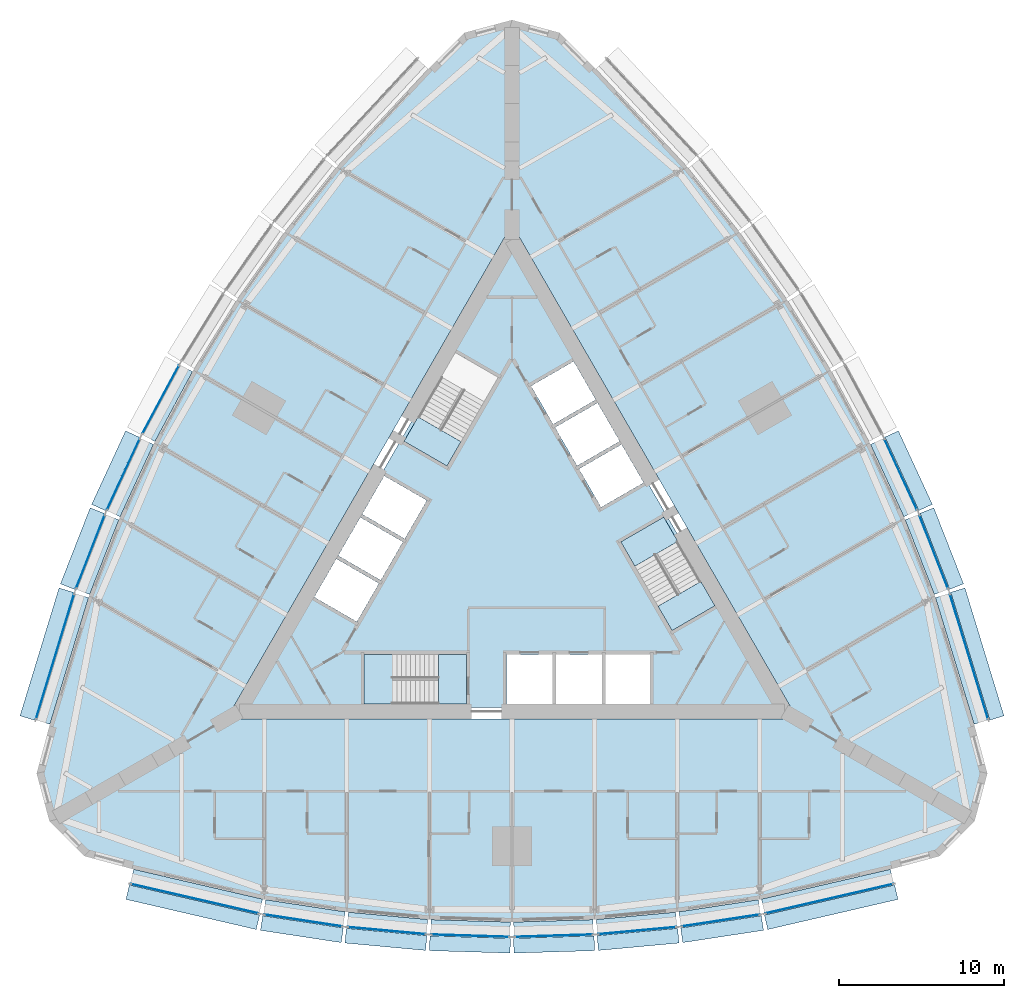
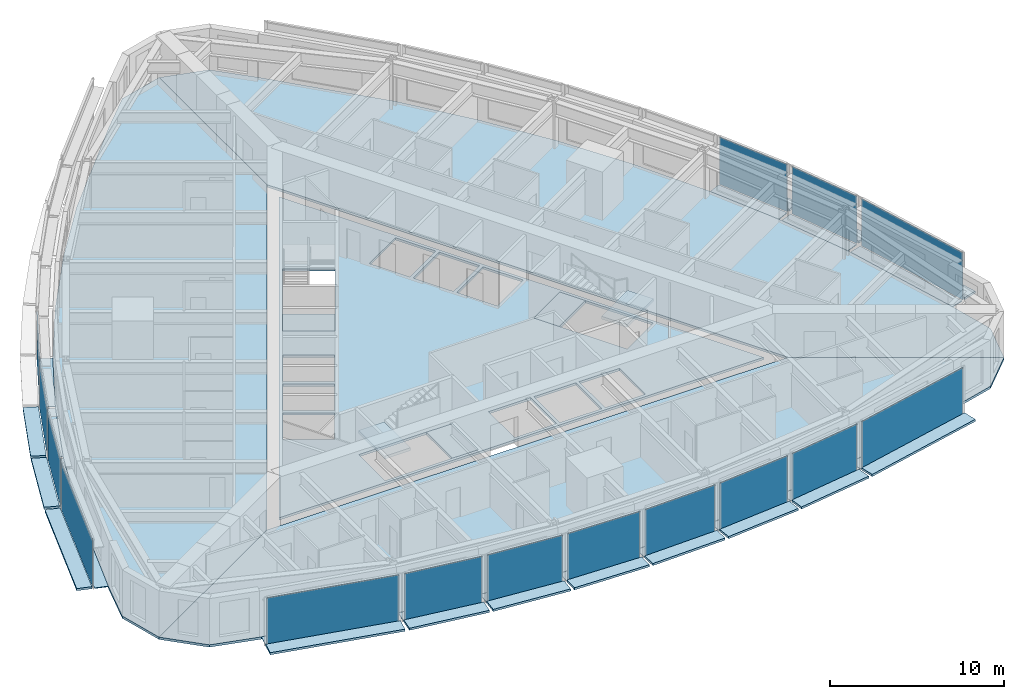
# One storey, part 6 of 14: 44 plates, 9 slabs, 18 elements without a shape of their own.
"""IFC4 building model written with IfcOpenShell, lengths in metres."""

from ifc_helpers import new_model, si_unit, direction, frame, origin, origin_2d, place, context, subcontext, project, spatial, polyline, rectangle, outline, extrude, material, layer, layer_set, type_object, element, aggregate, save


model = new_model("IFC4")

# Units and contexts
model_context = context("Model", 3, precision=1e-05, world=origin(), true_north=direction((0.0, 1.0)))
body_context = subcontext(model_context, "Body", "Model", "MODEL_VIEW")
ifc_project = project(units=[si_unit("LENGTHUNIT", "METRE"), si_unit("AREAUNIT", "SQUARE_METRE"), si_unit("VOLUMEUNIT", "CUBIC_METRE"), si_unit("PLANEANGLEUNIT", "RADIAN"), si_unit("MASSUNIT", "GRAM", prefix="KILO")], contexts=[model_context])

# Site, building, storey
site_placement = place(None, origin())
site = spatial("IfcSite", under=ifc_project, at=site_placement, CompositionType="ELEMENT")
building_placement = place(site_placement, origin())
building = spatial("IfcBuilding", under=site, at=building_placement, Name="Trikona Tower", CompositionType="ELEMENT")
storey_placement = place(building_placement, frame((0.0, 0.0, 69.300048828125)))
storey = spatial("IfcBuildingStorey", under=building, at=storey_placement, Name="L17", CompositionType="ELEMENT", Elevation=69.300048828125)

# Plates
ifc_material_1 = material(Name="Aluminium bar grating", Category="aluminium")
ifc_layer_1 = layer(ifc_material_1, 0.050048828125)
ifc_layer_set_1 = layer_set([ifc_layer_1], Name="Cavity catwalk grating")
plate_type_1 = type_object("IfcPlateType", Name="Cavity catwalk grating", PredefinedType="USERDEFINED", material=ifc_layer_set_1)
plate_1_placement = place(storey_placement, frame((-19.09228515625, -20.377197265625, -0.05029296875), z_axis=(0.0, 0.0, 1.0), x_axis=(0.974277718622, -0.225350675607, 0.0)))
element("IfcPlate", 1, at=plate_1_placement, inside=storey, type_object=plate_type_1, Name="Cavity catwalk L17-00", ObjectType="CATWALK GRATING", PredefinedType="USERDEFINED", context=body_context, shape_type="SweptSolid", body=[
    extrude(rectangle(XDim=8.01123046875, YDim=0.820068359375, at=origin_2d()), origin(), (0.0, 0.0, 1.0), 0.050048828125),
])
plate_2_placement = place(storey_placement, frame((-12.561767578125, -21.688720703125, -0.05029296875), z_axis=(0.0, 0.0, 1.0), x_axis=(0.988617896768, -0.150448177754, 0.0)))
element("IfcPlate", 2, at=plate_2_placement, inside=storey, type_object=plate_type_1, Name="Cavity catwalk L17-01", ObjectType="CATWALK GRATING", PredefinedType="USERDEFINED", context=body_context, shape_type="SweptSolid", body=[
    extrude(rectangle(XDim=4.857666015625, YDim=0.820068359375, at=origin_2d()), origin(), (0.0, 0.0, 1.0), 0.050048828125),
])
plate_3_placement = place(storey_placement, frame((-7.537353515625, -22.300537109375, -0.05029296875), z_axis=(0.0, 0.0, 1.0), x_axis=(0.995858098326, -0.090921108655, 0.0)))
element("IfcPlate", 3, at=plate_3_placement, inside=storey, type_object=plate_type_1, Name="Cavity catwalk L17-02", ObjectType="CATWALK GRATING", PredefinedType="USERDEFINED", context=body_context, shape_type="SweptSolid", body=[
    extrude(rectangle(XDim=4.82080078125, YDim=0.820068359375, at=origin_2d()), origin(), (0.0, 0.0, 1.0), 0.050048828125),
])
for number, where, z_axis, x_axis, name in (
    (4, (-2.512451171875, -22.606201171875, -0.05029296875), (0.0, 0.0, 1.0), (0.999537048889, -0.030425119525, 0.0), "Cavity catwalk L17-03"),
    (5, (2.512451171875, -22.606201171875, -0.05029296875), (0.0, 0.0, 1.0), (0.999537048889, 0.030425119525, 0.0), "Cavity catwalk L17-04"),
):
    element("IfcPlate", number, at=place(storey_placement, frame(where, z_axis=z_axis, x_axis=x_axis)), inside=storey, type_object=plate_type_1, Name=name, ObjectType="CATWALK GRATING", PredefinedType="USERDEFINED", context=body_context, shape_type="SweptSolid", body=[
        extrude(rectangle(XDim=4.80224609375, YDim=0.820068359375, at=origin_2d()), origin(), (0.0, 0.0, 1.0), 0.050048828125),
    ])
plate_4_placement = place(storey_placement, frame((7.537353515625, -22.300537109375, -0.05029296875), z_axis=(0.0, 0.0, 1.0), x_axis=(0.995858098326, 0.090921108655, 0.0)))
element("IfcPlate", 6, at=plate_4_placement, inside=storey, type_object=plate_type_1, Name="Cavity catwalk L17-05", ObjectType="CATWALK GRATING", PredefinedType="USERDEFINED", context=body_context, shape_type="SweptSolid", body=[
    extrude(rectangle(XDim=4.82080078125, YDim=0.820068359375, at=origin_2d()), origin(), (0.0, 0.0, 1.0), 0.050048828125),
])
plate_5_placement = place(storey_placement, frame((12.561767578125, -21.688720703125, -0.05029296875), z_axis=(0.0, 0.0, 1.0), x_axis=(0.988617896768, 0.150448177754, 0.0)))
element("IfcPlate", 7, at=plate_5_placement, inside=storey, type_object=plate_type_1, Name="Cavity catwalk L17-06", ObjectType="CATWALK GRATING", PredefinedType="USERDEFINED", context=body_context, shape_type="SweptSolid", body=[
    extrude(rectangle(XDim=4.857666015625, YDim=0.820068359375, at=origin_2d()), origin(), (0.0, 0.0, 1.0), 0.050048828125),
])
for number, where, z_axis, x_axis, name in (
    (8, (19.09228515625, -20.377197265625, -0.05029296875), (0.0, 0.0, 1.0), (0.974277718622, 0.225350675607, 0.0), "Cavity catwalk L17-07"),
    (9, (27.193359375, -6.345947265625, -0.05029296875), (0.0, 0.0, 1.0), (-0.291979449475, 0.956424592471, 0.0), "Cavity catwalk L17-12"),
):
    element("IfcPlate", number, at=place(storey_placement, frame(where, z_axis=z_axis, x_axis=x_axis)), inside=storey, type_object=plate_type_1, Name=name, ObjectType="CATWALK GRATING", PredefinedType="USERDEFINED", context=body_context, shape_type="SweptSolid", body=[
        extrude(rectangle(XDim=8.01123046875, YDim=0.820068359375, at=origin_2d()), origin(), (0.0, 0.0, 1.0), 0.050048828125),
    ])
plate_6_placement = place(storey_placement, frame((25.06396484375, -0.034423828125, -0.05029296875), z_axis=(0.0, 0.0, 1.0), x_axis=(-0.364008876551, 0.931395478726, 0.0)))
element("IfcPlate", 10, at=plate_6_placement, inside=storey, type_object=plate_type_1, Name="Cavity catwalk L17-13", ObjectType="CATWALK GRATING", PredefinedType="USERDEFINED", context=body_context, shape_type="SweptSolid", body=[
    extrude(rectangle(XDim=4.857666015625, YDim=0.820068359375, at=origin_2d()), origin(), (0.0, 0.0, 1.0), 0.050048828125),
])
plate_7_placement = place(storey_placement, frame((23.081298828125, 4.622802734375, -0.05029296875), z_axis=(0.0, 0.0, 1.0), x_axis=(-0.41919381307, 0.907896771161, 0.0)))
element("IfcPlate", 11, at=plate_7_placement, inside=storey, type_object=plate_type_1, Name="Cavity catwalk L17-14", ObjectType="CATWALK GRATING", PredefinedType="USERDEFINED", context=body_context, shape_type="SweptSolid", body=[
    extrude(rectangle(XDim=4.82080078125, YDim=0.820068359375, at=origin_2d()), origin(), (0.0, 0.0, 1.0), 0.050048828125),
])
plate_8_placement = place(storey_placement, frame((-20.833740234375, 9.127197265625, -0.05029296875), z_axis=(0.0, 0.0, 1.0), x_axis=(-0.473422672721, -0.880835383572, 0.0)))
element("IfcPlate", 12, at=plate_8_placement, inside=storey, type_object=plate_type_1, Name="Cavity catwalk L17-28", ObjectType="CATWALK GRATING", PredefinedType="USERDEFINED", context=body_context, shape_type="SweptSolid", body=[
    extrude(rectangle(XDim=4.80224609375, YDim=0.820068359375, at=origin_2d()), origin(), (0.0, 0.0, 1.0), 0.050048828125),
])
plate_9_placement = place(storey_placement, frame((-23.081298828125, 4.622802734375, -0.05029296875), z_axis=(0.0, 0.0, 1.0), x_axis=(-0.41919381307, -0.907896771161, 0.0)))
element("IfcPlate", 13, at=plate_9_placement, inside=storey, type_object=plate_type_1, Name="Cavity catwalk L17-29", ObjectType="CATWALK GRATING", PredefinedType="USERDEFINED", context=body_context, shape_type="SweptSolid", body=[
    extrude(rectangle(XDim=4.82080078125, YDim=0.820068359375, at=origin_2d()), origin(), (0.0, 0.0, 1.0), 0.050048828125),
])
plate_10_placement = place(storey_placement, frame((-25.06396484375, -0.034423828125, -0.05029296875), z_axis=(0.0, 0.0, 1.0), x_axis=(-0.364008876551, -0.931395478726, 0.0)))
element("IfcPlate", 14, at=plate_10_placement, inside=storey, type_object=plate_type_1, Name="Cavity catwalk L17-30", ObjectType="CATWALK GRATING", PredefinedType="USERDEFINED", context=body_context, shape_type="SweptSolid", body=[
    extrude(rectangle(XDim=4.857666015625, YDim=0.820068359375, at=origin_2d()), origin(), (0.0, 0.0, 1.0), 0.050048828125),
])
plate_11_placement = place(storey_placement, frame((-27.193359375, -6.345947265625, -0.05029296875), z_axis=(0.0, 0.0, 1.0), x_axis=(-0.291979449475, -0.956424592471, 0.0)))
element("IfcPlate", 15, at=plate_11_placement, inside=storey, type_object=plate_type_1, Name="Cavity catwalk L17-31", ObjectType="CATWALK GRATING", PredefinedType="USERDEFINED", context=body_context, shape_type="SweptSolid", body=[
    extrude(rectangle(XDim=8.01123046875, YDim=0.820068359375, at=origin_2d()), origin(), (0.0, 0.0, 1.0), 0.050048828125),
])

# Slabs
ifc_material_2 = material(Name="Concrete f'c 5000 psi lightweight on composite steel deck", Category="concrete")
ifc_layer_2 = layer(ifc_material_2, 0.1650390625)
ifc_layer_set_2 = layer_set([ifc_layer_2], Name="Composite floor slab 165")
slab_type_1 = type_object("IfcSlabType", Name="Composite floor slab 165", PredefinedType="FLOOR", material=ifc_layer_set_2)
slab_1_placement = place(storey_placement, frame((0.0, 0.0, -0.1650390625)))
element("IfcSlab", 16, at=slab_1_placement, inside=storey, type_object=slab_type_1, Name="Floor slab L17 core", PredefinedType="FLOOR", context=body_context, shape_type="SweptSolid", body=[
    extrude(outline(polyline([(-16.06689453125, -9.2763671875), (16.06689453125, -9.2763671875), (0.0, 18.552490234375), (-16.06689453125, -9.2763671875)]), holes=[polyline([(12.285400390625, -3.126220703125), (9.185302734375, 2.2431640625), (6.587158203125, 0.7431640625), (9.687255859375, -4.626220703125), (12.285400390625, -3.126220703125)]), polyline([(8.340087890625, -9.06640625), (8.340087890625, -6.086181640625), (5.659912109375, -6.086181640625), (5.659912109375, -9.06640625), (8.340087890625, -9.06640625)]), polyline([(5.390869140625, 2.835205078125), (7.9716796875, 4.3251953125), (6.631591796875, 6.646240234375), (4.05078125, 5.15625), (5.390869140625, 2.835205078125)]), polyline([(2.600830078125, 7.667724609375), (3.94091796875, 5.3466796875), (6.521484375, 6.8369140625), (5.181640625, 9.15771484375), (2.600830078125, 7.667724609375)]), polyline([(5.43994140625, -6.086181640625), (2.659912109375, -6.086181640625), (2.659912109375, -9.06640625), (5.43994140625, -9.06640625), (5.43994140625, -6.086181640625)]), polyline([(3.731689453125, 11.669189453125), (1.15087890625, 10.17919921875), (2.490966796875, 7.858154296875), (5.071533203125, 9.34814453125), (3.731689453125, 11.669189453125)]), polyline([(-0.340087890625, -6.086181640625), (-0.340087890625, -9.06640625), (2.43994140625, -9.06640625), (2.43994140625, -6.086181640625), (-0.340087890625, -6.086181640625)]), polyline([(-3.435302734375, 12.202392578125), (-6.535400390625, 6.8330078125), (-3.937255859375, 5.3330078125), (-0.837158203125, 10.702392578125), (-3.435302734375, 12.202392578125)]), polyline([(-8.949951171875, -9.076416015625), (-2.75, -9.076416015625), (-2.75, -6.076416015625), (-8.949951171875, -6.076416015625), (-8.949951171875, -9.076416015625)]), polyline([(-5.15087890625, 3.2509765625), (-7.731689453125, 4.740966796875), (-9.071533203125, 2.419921875), (-6.490966796875, 0.929931640625), (-5.15087890625, 3.2509765625)]), polyline([(-7.94091796875, -1.581298828125), (-6.600830078125, 0.739501953125), (-9.181640625, 2.2294921875), (-10.521484375, -0.09130859375), (-7.94091796875, -1.581298828125)]), polyline([(-11.9716796875, -2.602783203125), (-9.390869140625, -4.093017578125), (-8.05078125, -1.77197265625), (-10.631591796875, -0.281982421875), (-11.9716796875, -2.602783203125)])]), origin(), (0.0, 0.0, 1.0), 0.1650390625),
])
slab_2_placement = place(storey_placement, frame((0.0, 0.0, -0.1650390625)))
element("IfcSlab", 17, at=slab_2_placement, inside=storey, type_object=slab_type_1, Name="Floor slab L17 south", PredefinedType="FLOOR", context=body_context, shape_type="SweptSolid", body=[
    extrude(outline(polyline([(25.88671875, -18.279052734375), (28.0, -16.165771484375), (17.279296875, -9.976318359375), (-17.279296875, -9.976318359375), (-28.0, -16.165771484375), (-25.88671875, -18.279052734375), (-23.0, -19.052490234375), (-15.0, -20.903076171875), (-10.0, -21.663818359375), (-5.0, -22.120361328125), (0.0, -22.272705078125), (5.0, -22.120361328125), (10.0, -21.663818359375), (15.0, -20.903076171875), (23.0, -19.052490234375), (25.88671875, -18.279052734375)])), origin(), (0.0, 0.0, 1.0), 0.1650390625),
])
slab_3_placement = place(storey_placement, frame((0.0, 0.0, -0.1650390625)))
element("IfcSlab", 18, at=slab_3_placement, inside=storey, type_object=slab_type_1, Name="Floor slab L17 north-east", PredefinedType="FLOOR", context=body_context, shape_type="SweptSolid", body=[
    extrude(outline(polyline([(2.88671875, 31.55810546875), (0.0, 32.33154296875), (0.0, 19.95263671875), (17.279296875, -9.976318359375), (28.0, -16.165771484375), (28.7734375, -13.279052734375), (28.0, -10.392333984375), (25.6025390625, -2.538818359375), (23.761474609375, 2.171630859375), (21.65673828125, 6.72998046875), (19.28857421875, 11.13623046875), (16.65673828125, 15.390380859375), (13.761474609375, 19.4921875), (10.6025390625, 23.44189453125), (5.0, 29.44482421875), (2.88671875, 31.55810546875)])), origin(), (0.0, 0.0, 1.0), 0.1650390625),
])
slab_4_placement = place(storey_placement, frame((0.0, 0.0, -0.1650390625)))
element("IfcSlab", 19, at=slab_4_placement, inside=storey, type_object=slab_type_1, Name="Floor slab L17 north-west", PredefinedType="FLOOR", context=body_context, shape_type="SweptSolid", body=[
    extrude(outline(polyline([(0.0, 19.95263671875), (0.0, 32.33154296875), (-2.88671875, 31.55810546875), (-5.0, 29.44482421875), (-10.6025390625, 23.44189453125), (-13.761474609375, 19.4921875), (-16.65673828125, 15.390380859375), (-19.28857421875, 11.13623046875), (-21.65673828125, 6.72998046875), (-23.761474609375, 2.171630859375), (-25.6025390625, -2.538818359375), (-28.0, -10.392333984375), (-28.7734375, -13.279052734375), (-28.0, -16.165771484375), (-17.279296875, -9.976318359375), (0.0, 19.95263671875)])), origin(), (0.0, 0.0, 1.0), 0.1650390625),
])

# Curtain wall, plate
ifc_material_3 = material(Name="Aluminium curtain wall system", Category="aluminium")
curtain_wall_type = type_object("IfcCurtainWallType", Name="Curtain wall DS1", PredefinedType="NOTDEFINED", material=ifc_material_3)
curtain_wall_1_placement = place(storey_placement, origin())
curtain_wall_1 = element("IfcCurtainWall", 20, at=curtain_wall_1_placement, inside=storey, type_object=curtain_wall_type, Name="Curtain wall DS1 L17", PredefinedType="NOTDEFINED")
ifc_material_4 = material(Name="Laminated clear glass", Category="glass")
ifc_layer_3 = layer(ifc_material_4, 0.028076171875)
ifc_layer_set_3 = layer_set([ifc_layer_3], Name="Glass panel DS1")
plate_type_2 = type_object("IfcPlateType", Name="Glass panel DS1", PredefinedType="CURTAIN_PANEL", material=ifc_layer_set_3)
plate_12_placement = place(storey_placement, frame((-19.202880859375, -20.854736328125, 0.0), z_axis=(0.0, 0.0, 1.0), x_axis=(0.974279427173, -0.225343288756, 0.0)))
plate_12 = element("IfcPlate", 21, at=plate_12_placement, type_object=plate_type_2, Name="CW-DS1 panel 1.1", PredefinedType="CURTAIN_PANEL", context=body_context, shape_type="SweptSolid", body=[
    extrude(rectangle(XDim=7.93115234375, YDim=0.028076171875, at=origin_2d()), origin(), (0.0, 0.0, 1.0), 3.320068359375),
])
aggregate(curtain_wall_1, [plate_12])

curtain_wall_2_placement = place(storey_placement, origin())
curtain_wall_2 = element("IfcCurtainWall", 22, at=curtain_wall_2_placement, inside=storey, type_object=curtain_wall_type, Name="Curtain wall DS1 L17", PredefinedType="NOTDEFINED")
plate_13_placement = place(storey_placement, frame((-12.635498046875, -22.173095703125, 0.0), z_axis=(0.0, 0.0, 1.0), x_axis=(0.988619492156, -0.150437693845, 0.0)))
plate_13 = element("IfcPlate", 23, at=plate_13_placement, type_object=plate_type_2, Name="CW-DS1 panel 1.1", PredefinedType="CURTAIN_PANEL", context=body_context, shape_type="SweptSolid", body=[
    extrude(rectangle(XDim=4.777587890625, YDim=0.028076171875, at=origin_2d()), origin(), (0.0, 0.0, 1.0), 3.320068359375),
])
aggregate(curtain_wall_2, [plate_13])

curtain_wall_3_placement = place(storey_placement, origin())
curtain_wall_3 = element("IfcCurtainWall", 24, at=curtain_wall_3_placement, inside=storey, type_object=curtain_wall_type, Name="Curtain wall DS1 L17", PredefinedType="NOTDEFINED")
plate_14_placement = place(storey_placement, frame((-7.581787109375, -22.788330078125, 0.0), z_axis=(0.0, 0.0, 1.0), x_axis=(0.995857840485, -0.090923932737, 0.0)))
plate_14 = element("IfcPlate", 25, at=plate_14_placement, type_object=plate_type_2, Name="CW-DS1 panel 1.1", PredefinedType="CURTAIN_PANEL", context=body_context, shape_type="SweptSolid", body=[
    extrude(rectangle(XDim=4.74072265625, YDim=0.028076171875, at=origin_2d()), origin(), (0.0, 0.0, 1.0), 3.320068359375),
])
aggregate(curtain_wall_3, [plate_14])

curtain_wall_4_placement = place(storey_placement, origin())
curtain_wall_4 = element("IfcCurtainWall", 26, at=curtain_wall_4_placement, inside=storey, type_object=curtain_wall_type, Name="Curtain wall DS1 L17", PredefinedType="NOTDEFINED")
plate_15_placement = place(storey_placement, frame((-2.52734375, -23.09619140625, 0.0), z_axis=(0.0, 0.0, 1.0), x_axis=(0.999536695965, -0.030436711692, 0.0)))
plate_15 = element("IfcPlate", 27, at=plate_15_placement, type_object=plate_type_2, Name="CW-DS1 panel 1.1", PredefinedType="CURTAIN_PANEL", context=body_context, shape_type="SweptSolid", body=[
    extrude(rectangle(XDim=4.72216796875, YDim=0.028076171875, at=origin_2d()), origin(), (0.0, 0.0, 1.0), 3.320068359375),
])
aggregate(curtain_wall_4, [plate_15])

curtain_wall_5_placement = place(storey_placement, origin())
curtain_wall_5 = element("IfcCurtainWall", 28, at=curtain_wall_5_placement, inside=storey, type_object=curtain_wall_type, Name="Curtain wall DS1 L17", PredefinedType="NOTDEFINED")
plate_16_placement = place(storey_placement, frame((2.52734375, -23.09619140625, 0.0), z_axis=(0.0, 0.0, 1.0), x_axis=(0.999536695965, 0.030436711692, 0.0)))
plate_16 = element("IfcPlate", 29, at=plate_16_placement, type_object=plate_type_2, Name="CW-DS1 panel 1.1", PredefinedType="CURTAIN_PANEL", context=body_context, shape_type="SweptSolid", body=[
    extrude(rectangle(XDim=4.72216796875, YDim=0.028076171875, at=origin_2d()), origin(), (0.0, 0.0, 1.0), 3.320068359375),
])
aggregate(curtain_wall_5, [plate_16])

curtain_wall_6_placement = place(storey_placement, origin())
curtain_wall_6 = element("IfcCurtainWall", 30, at=curtain_wall_6_placement, inside=storey, type_object=curtain_wall_type, Name="Curtain wall DS1 L17", PredefinedType="NOTDEFINED")
plate_17_placement = place(storey_placement, frame((7.581787109375, -22.788330078125, 0.0), z_axis=(0.0, 0.0, 1.0), x_axis=(0.995857840485, 0.090923932737, 0.0)))
plate_17 = element("IfcPlate", 31, at=plate_17_placement, type_object=plate_type_2, Name="CW-DS1 panel 1.1", PredefinedType="CURTAIN_PANEL", context=body_context, shape_type="SweptSolid", body=[
    extrude(rectangle(XDim=4.74072265625, YDim=0.028076171875, at=origin_2d()), origin(), (0.0, 0.0, 1.0), 3.320068359375),
])
aggregate(curtain_wall_6, [plate_17])

curtain_wall_7_placement = place(storey_placement, origin())
curtain_wall_7 = element("IfcCurtainWall", 32, at=curtain_wall_7_placement, inside=storey, type_object=curtain_wall_type, Name="Curtain wall DS1 L17", PredefinedType="NOTDEFINED")
plate_18_placement = place(storey_placement, frame((12.635498046875, -22.173095703125, 0.0), z_axis=(0.0, 0.0, 1.0), x_axis=(0.988619492156, 0.150437693845, 0.0)))
plate_18 = element("IfcPlate", 33, at=plate_18_placement, type_object=plate_type_2, Name="CW-DS1 panel 1.1", PredefinedType="CURTAIN_PANEL", context=body_context, shape_type="SweptSolid", body=[
    extrude(rectangle(XDim=4.777587890625, YDim=0.028076171875, at=origin_2d()), origin(), (0.0, 0.0, 1.0), 3.320068359375),
])
aggregate(curtain_wall_7, [plate_18])

curtain_wall_8_placement = place(storey_placement, origin())
curtain_wall_8 = element("IfcCurtainWall", 34, at=curtain_wall_8_placement, inside=storey, type_object=curtain_wall_type, Name="Curtain wall DS1 L17", PredefinedType="NOTDEFINED")
plate_19_placement = place(storey_placement, frame((19.202880859375, -20.854736328125, 0.0), z_axis=(0.0, 0.0, 1.0), x_axis=(0.974279427173, 0.225343288756, 0.0)))
plate_19 = element("IfcPlate", 35, at=plate_19_placement, type_object=plate_type_2, Name="CW-DS1 panel 1.1", PredefinedType="CURTAIN_PANEL", context=body_context, shape_type="SweptSolid", body=[
    extrude(rectangle(XDim=7.93115234375, YDim=0.028076171875, at=origin_2d()), origin(), (0.0, 0.0, 1.0), 3.320068359375),
])
aggregate(curtain_wall_8, [plate_19])

curtain_wall_9_placement = place(storey_placement, origin())
curtain_wall_9 = element("IfcCurtainWall", 36, at=curtain_wall_9_placement, inside=storey, type_object=curtain_wall_type, Name="Curtain wall DS1 L17", PredefinedType="NOTDEFINED")
plate_20_placement = place(storey_placement, frame((27.662109375, -6.202880859375, 0.0), z_axis=(0.0, 0.0, 1.0), x_axis=(-0.291984287868, 0.956423115383, 0.0)))
plate_20 = element("IfcPlate", 37, at=plate_20_placement, type_object=plate_type_2, Name="CW-DS1 panel 1.1", PredefinedType="CURTAIN_PANEL", context=body_context, shape_type="SweptSolid", body=[
    extrude(rectangle(XDim=7.93115234375, YDim=0.028076171875, at=origin_2d()), origin(), (0.0, 0.0, 1.0), 3.320068359375),
])
aggregate(curtain_wall_9, [plate_20])

curtain_wall_10_placement = place(storey_placement, origin())
curtain_wall_10 = element("IfcCurtainWall", 38, at=curtain_wall_10_placement, inside=storey, type_object=curtain_wall_type, Name="Curtain wall DS1 L17", PredefinedType="NOTDEFINED")
plate_21_placement = place(storey_placement, frame((25.520263671875, 0.14404296875, 0.0), z_axis=(0.0, 0.0, 1.0), x_axis=(-0.36400756977, 0.931395989443, 0.0)))
plate_21 = element("IfcPlate", 39, at=plate_21_placement, type_object=plate_type_2, Name="CW-DS1 panel 1.1", PredefinedType="CURTAIN_PANEL", context=body_context, shape_type="SweptSolid", body=[
    extrude(rectangle(XDim=4.777587890625, YDim=0.028076171875, at=origin_2d()), origin(), (0.0, 0.0, 1.0), 3.320068359375),
])
aggregate(curtain_wall_10, [plate_21])

curtain_wall_11_placement = place(storey_placement, origin())
curtain_wall_11 = element("IfcCurtainWall", 40, at=curtain_wall_11_placement, inside=storey, type_object=curtain_wall_type, Name="Curtain wall DS1 L17", PredefinedType="NOTDEFINED")
plate_22_placement = place(storey_placement, frame((23.5263671875, 4.828125, 0.0), z_axis=(0.0, 0.0, 1.0), x_axis=(-0.419190155352, 0.907898459992, 0.0)))
plate_22 = element("IfcPlate", 41, at=plate_22_placement, type_object=plate_type_2, Name="CW-DS1 panel 1.1", PredefinedType="CURTAIN_PANEL", context=body_context, shape_type="SweptSolid", body=[
    extrude(rectangle(XDim=4.740966796875, YDim=0.028076171875, at=origin_2d()), origin(), (0.0, 0.0, 1.0), 3.320068359375),
])
aggregate(curtain_wall_11, [plate_22])

curtain_wall_12_placement = place(storey_placement, origin())
curtain_wall_12 = element("IfcCurtainWall", 42, at=curtain_wall_12_placement, inside=storey, type_object=curtain_wall_type, Name="Curtain wall DS1 L17", PredefinedType="NOTDEFINED")
plate_23_placement = place(storey_placement, frame((-21.265380859375, 9.359130859375, 0.0), z_axis=(0.0, 0.0, 1.0), x_axis=(-0.473408350896, -0.880843080975, 0.0)))
plate_23 = element("IfcPlate", 43, at=plate_23_placement, type_object=plate_type_2, Name="CW-DS1 panel 1.1", PredefinedType="CURTAIN_PANEL", context=body_context, shape_type="SweptSolid", body=[
    extrude(rectangle(XDim=4.72216796875, YDim=0.028076171875, at=origin_2d()), origin(), (0.0, 0.0, 1.0), 3.320068359375),
])
aggregate(curtain_wall_12, [plate_23])

curtain_wall_13_placement = place(storey_placement, origin())
curtain_wall_13 = element("IfcCurtainWall", 44, at=curtain_wall_13_placement, inside=storey, type_object=curtain_wall_type, Name="Curtain wall DS1 L17", PredefinedType="NOTDEFINED")
plate_24_placement = place(storey_placement, frame((-23.5263671875, 4.828125, 0.0), z_axis=(0.0, 0.0, 1.0), x_axis=(-0.419190155352, -0.907898459992, 0.0)))
plate_24 = element("IfcPlate", 45, at=plate_24_placement, type_object=plate_type_2, Name="CW-DS1 panel 1.1", PredefinedType="CURTAIN_PANEL", context=body_context, shape_type="SweptSolid", body=[
    extrude(rectangle(XDim=4.740966796875, YDim=0.028076171875, at=origin_2d()), origin(), (0.0, 0.0, 1.0), 3.320068359375),
])
aggregate(curtain_wall_13, [plate_24])

curtain_wall_14_placement = place(storey_placement, origin())
curtain_wall_14 = element("IfcCurtainWall", 46, at=curtain_wall_14_placement, inside=storey, type_object=curtain_wall_type, Name="Curtain wall DS1 L17", PredefinedType="NOTDEFINED")
plate_25_placement = place(storey_placement, frame((-25.520263671875, 0.14404296875, 0.0), z_axis=(0.0, 0.0, 1.0), x_axis=(-0.36400756977, -0.931395989443, 0.0)))
plate_25 = element("IfcPlate", 47, at=plate_25_placement, type_object=plate_type_2, Name="CW-DS1 panel 1.1", PredefinedType="CURTAIN_PANEL", context=body_context, shape_type="SweptSolid", body=[
    extrude(rectangle(XDim=4.777587890625, YDim=0.028076171875, at=origin_2d()), origin(), (0.0, 0.0, 1.0), 3.320068359375),
])
aggregate(curtain_wall_14, [plate_25])

curtain_wall_15_placement = place(storey_placement, origin())
curtain_wall_15 = element("IfcCurtainWall", 48, at=curtain_wall_15_placement, inside=storey, type_object=curtain_wall_type, Name="Curtain wall DS1 L17", PredefinedType="NOTDEFINED")
plate_26_placement = place(storey_placement, frame((-27.662109375, -6.202880859375, 0.0), z_axis=(0.0, 0.0, 1.0), x_axis=(-0.291984287868, -0.956423115383, 0.0)))
plate_26 = element("IfcPlate", 49, at=plate_26_placement, type_object=plate_type_2, Name="CW-DS1 panel 1.1", PredefinedType="CURTAIN_PANEL", context=body_context, shape_type="SweptSolid", body=[
    extrude(rectangle(XDim=7.93115234375, YDim=0.028076171875, at=origin_2d()), origin(), (0.0, 0.0, 1.0), 3.320068359375),
])
aggregate(curtain_wall_15, [plate_26])

# Plates
ifc_material_5 = material(Name="Aluminium plate fin, pale anodised, on stainless steel outriggers", Category="steel")
ifc_layer_4 = layer(ifc_material_5, 0.14990234375)
ifc_layer_set_4 = layer_set([ifc_layer_4], Name="Outer skin fin 900")
plate_type_3 = type_object("IfcPlateType", Name="Outer skin fin 900", PredefinedType="USERDEFINED", material=ifc_layer_set_4)
plate_27_placement = place(storey_placement, frame((-19.322265625, -21.37109375, 0.0), z_axis=(0.0, 0.0, 1.0), x_axis=(0.974277718622, -0.225350675607, 0.0)))
element("IfcPlate", 50, at=plate_27_placement, inside=storey, type_object=plate_type_3, Name="Outer skin fin L17-00", ObjectType="FIN", PredefinedType="USERDEFINED", context=body_context, shape_type="SweptSolid", body=[
    extrude(rectangle(XDim=8.09130859375, YDim=0.89990234375, at=origin_2d()), origin(), (0.0, 0.0, 1.0), 0.14990234375),
])
plate_28_placement = place(storey_placement, frame((-12.715087890625, -22.697265625, 0.0), z_axis=(0.0, 0.0, 1.0), x_axis=(0.988617896768, -0.150448177754, 0.0)))
element("IfcPlate", 51, at=plate_28_placement, inside=storey, type_object=plate_type_3, Name="Outer skin fin L17-01", ObjectType="FIN", PredefinedType="USERDEFINED", context=body_context, shape_type="SweptSolid", body=[
    extrude(rectangle(XDim=4.9375, YDim=0.89990234375, at=origin_2d()), origin(), (0.0, 0.0, 1.0), 0.14990234375),
])
plate_29_placement = place(storey_placement, frame((-7.6298828125, -23.316162109375, 0.0), z_axis=(0.0, 0.0, 1.0), x_axis=(0.995858098326, -0.090921108655, 0.0)))
element("IfcPlate", 52, at=plate_29_placement, inside=storey, type_object=plate_type_3, Name="Outer skin fin L17-02", ObjectType="FIN", PredefinedType="USERDEFINED", context=body_context, shape_type="SweptSolid", body=[
    extrude(rectangle(XDim=4.90087890625, YDim=0.89990234375, at=origin_2d()), origin(), (0.0, 0.0, 1.0), 0.14990234375),
])
for number, where, z_axis, x_axis, name in (
    (53, (-2.54345703125, -23.625732421875, 0.0), (0.0, 0.0, 1.0), (0.999537048889, -0.030425119525, 0.0), "Outer skin fin L17-03"),
    (54, (2.54345703125, -23.625732421875, 0.0), (0.0, 0.0, 1.0), (0.999537048889, 0.030425119525, 0.0), "Outer skin fin L17-04"),
):
    element("IfcPlate", number, at=place(storey_placement, frame(where, z_axis=z_axis, x_axis=x_axis)), inside=storey, type_object=plate_type_3, Name=name, ObjectType="FIN", PredefinedType="USERDEFINED", context=body_context, shape_type="SweptSolid", body=[
        extrude(rectangle(XDim=4.88232421875, YDim=0.89990234375, at=origin_2d()), origin(), (0.0, 0.0, 1.0), 0.14990234375),
    ])
plate_30_placement = place(storey_placement, frame((7.6298828125, -23.316162109375, 0.0), z_axis=(0.0, 0.0, 1.0), x_axis=(0.995858098326, 0.090921108655, 0.0)))
element("IfcPlate", 55, at=plate_30_placement, inside=storey, type_object=plate_type_3, Name="Outer skin fin L17-05", ObjectType="FIN", PredefinedType="USERDEFINED", context=body_context, shape_type="SweptSolid", body=[
    extrude(rectangle(XDim=4.90087890625, YDim=0.89990234375, at=origin_2d()), origin(), (0.0, 0.0, 1.0), 0.14990234375),
])
plate_31_placement = place(storey_placement, frame((12.715087890625, -22.697265625, 0.0), z_axis=(0.0, 0.0, 1.0), x_axis=(0.988617896768, 0.150448177754, 0.0)))
element("IfcPlate", 56, at=plate_31_placement, inside=storey, type_object=plate_type_3, Name="Outer skin fin L17-06", ObjectType="FIN", PredefinedType="USERDEFINED", context=body_context, shape_type="SweptSolid", body=[
    extrude(rectangle(XDim=4.9375, YDim=0.89990234375, at=origin_2d()), origin(), (0.0, 0.0, 1.0), 0.14990234375),
])
for number, where, z_axis, x_axis, name in (
    (57, (19.322265625, -21.37109375, 0.0), (0.0, 0.0, 1.0), (0.974277718622, 0.225350675607, 0.0), "Outer skin fin L17-07"),
    (58, (28.1689453125, -6.048095703125, 0.0), (0.0, 0.0, 1.0), (-0.291979449475, 0.956424592471, 0.0), "Outer skin fin L17-12"),
):
    element("IfcPlate", number, at=place(storey_placement, frame(where, z_axis=z_axis, x_axis=x_axis)), inside=storey, type_object=plate_type_3, Name=name, ObjectType="FIN", PredefinedType="USERDEFINED", context=body_context, shape_type="SweptSolid", body=[
        extrude(rectangle(XDim=8.09130859375, YDim=0.89990234375, at=origin_2d()), origin(), (0.0, 0.0, 1.0), 0.14990234375),
    ])
plate_32_placement = place(storey_placement, frame((26.013916015625, 0.3369140625, 0.0), z_axis=(0.0, 0.0, 1.0), x_axis=(-0.364008876551, 0.931395478726, 0.0)))
element("IfcPlate", 59, at=plate_32_placement, inside=storey, type_object=plate_type_3, Name="Outer skin fin L17-13", ObjectType="FIN", PredefinedType="USERDEFINED", context=body_context, shape_type="SweptSolid", body=[
    extrude(rectangle(XDim=4.9375, YDim=0.89990234375, at=origin_2d()), origin(), (0.0, 0.0, 1.0), 0.14990234375),
])
for number, where, z_axis, x_axis, name in (
    (60, (24.00732421875, 5.05029296875, 0.0), (0.0, 0.0, 1.0), (-0.41919381307, 0.907896771161, 0.0), "Outer skin fin L17-14"),
    (61, (-24.00732421875, 5.05029296875, 0.0), (0.0, 0.0, 1.0), (-0.41919381307, -0.907896771161, 0.0), "Outer skin fin L17-29"),
):
    element("IfcPlate", number, at=place(storey_placement, frame(where, z_axis=z_axis, x_axis=x_axis)), inside=storey, type_object=plate_type_3, Name=name, ObjectType="FIN", PredefinedType="USERDEFINED", context=body_context, shape_type="SweptSolid", body=[
        extrude(rectangle(XDim=4.90087890625, YDim=0.89990234375, at=origin_2d()), origin(), (0.0, 0.0, 1.0), 0.14990234375),
    ])
plate_33_placement = place(storey_placement, frame((-26.013916015625, 0.3369140625, 0.0), z_axis=(0.0, 0.0, 1.0), x_axis=(-0.364008876551, -0.931395478726, 0.0)))
element("IfcPlate", 62, at=plate_33_placement, inside=storey, type_object=plate_type_3, Name="Outer skin fin L17-30", ObjectType="FIN", PredefinedType="USERDEFINED", context=body_context, shape_type="SweptSolid", body=[
    extrude(rectangle(XDim=4.9375, YDim=0.89990234375, at=origin_2d()), origin(), (0.0, 0.0, 1.0), 0.14990234375),
])
plate_34_placement = place(storey_placement, frame((-28.1689453125, -6.048095703125, 0.0), z_axis=(0.0, 0.0, 1.0), x_axis=(-0.291979449475, -0.956424592471, 0.0)))
element("IfcPlate", 63, at=plate_34_placement, inside=storey, type_object=plate_type_3, Name="Outer skin fin L17-31", ObjectType="FIN", PredefinedType="USERDEFINED", context=body_context, shape_type="SweptSolid", body=[
    extrude(rectangle(XDim=8.09130859375, YDim=0.89990234375, at=origin_2d()), origin(), (0.0, 0.0, 1.0), 0.14990234375),
])

# Stair, slabs
ifc_material_6 = material(Name="Concrete f'c 5000 psi", Category="concrete")
stair_type = type_object("IfcStairType", Name="Core stair", PredefinedType="HALF_TURN_STAIR", material=ifc_material_6)
stair_1_placement = place(storey_placement, origin())
stair_1 = element("IfcStair", 64, at=stair_1_placement, inside=storey, type_object=stair_type, Name="Stair A L17", PredefinedType="HALF_TURN_STAIR")
ifc_material_7 = material(Name="Concrete f'c 5000 psi", Category="concrete")
ifc_layer_5 = layer(ifc_material_7, 0.199951171875)
ifc_layer_set_5 = layer_set([ifc_layer_5], Name="Stair landing 200")
slab_type_2 = type_object("IfcSlabType", Name="Stair landing 200", PredefinedType="LANDING", material=ifc_layer_set_5)
slab_5_placement = place(storey_placement, frame((0.0, 0.0, -0.199951171875)))
slab_5 = element("IfcSlab", 65, at=slab_5_placement, type_object=slab_type_2, Name="ST-A landing 1", PredefinedType="LANDING", context=body_context, shape_type="SweptSolid", body=[
    extrude(outline(polyline([(-4.452880859375, -6.076416015625), (-2.75, -6.076416015625), (-2.75, -9.076416015625), (-4.452880859375, -9.076416015625), (-4.452880859375, -6.076416015625)])), origin(), (0.0, 0.0, 1.0), 0.199951171875),
])
slab_6_placement = place(storey_placement, frame((0.0, 0.0, 1.5)))
slab_6 = element("IfcSlab", 66, at=slab_6_placement, type_object=slab_type_2, Name="ST-A landing 2", PredefinedType="LANDING", context=body_context, shape_type="SweptSolid", body=[
    extrude(outline(polyline([(-8.949951171875, -6.076416015625), (-7.2470703125, -6.076416015625), (-7.2470703125, -9.076416015625), (-8.949951171875, -9.076416015625), (-8.949951171875, -6.076416015625)])), origin(), (0.0, 0.0, 1.0), 0.199951171875),
])
aggregate(stair_1, [slab_5, slab_6])

stair_2_placement = place(storey_placement, origin())
stair_2 = element("IfcStair", 67, at=stair_2_placement, inside=storey, type_object=stair_type, Name="Stair B L17", PredefinedType="HALF_TURN_STAIR")
slab_7_placement = place(storey_placement, frame((0.0, 0.0, -0.199951171875)))
slab_7 = element("IfcSlab", 68, at=slab_7_placement, type_object=slab_type_2, Name="ST-B landing 1", PredefinedType="LANDING", context=body_context, shape_type="SweptSolid", body=[
    extrude(outline(polyline([(7.438720703125, -0.731689453125), (6.587158203125, 0.7431640625), (9.185302734375, 2.2431640625), (10.036865234375, 0.768310546875), (7.438720703125, -0.731689453125)])), origin(), (0.0, 0.0, 1.0), 0.199951171875),
])
slab_8_placement = place(storey_placement, frame((0.0, 0.0, 1.5)))
slab_8 = element("IfcSlab", 69, at=slab_8_placement, type_object=slab_type_2, Name="ST-B landing 2", PredefinedType="LANDING", context=body_context, shape_type="SweptSolid", body=[
    extrude(outline(polyline([(9.687255859375, -4.626220703125), (8.835693359375, -3.1513671875), (11.433837890625, -1.6513671875), (12.285400390625, -3.126220703125), (9.687255859375, -4.626220703125)])), origin(), (0.0, 0.0, 1.0), 0.199951171875),
])
aggregate(stair_2, [slab_7, slab_8])

# Stair, slab
stair_3_placement = place(storey_placement, origin())
stair_3 = element("IfcStair", 70, at=stair_3_placement, inside=storey, type_object=stair_type, Name="Stair C L17", PredefinedType="HALF_TURN_STAIR")
slab_9_placement = place(storey_placement, frame((0.0, 0.0, -0.199951171875)))
slab_9 = element("IfcSlab", 71, at=slab_9_placement, type_object=slab_type_2, Name="ST-C landing 1", PredefinedType="LANDING", context=body_context, shape_type="SweptSolid", body=[
    extrude(outline(polyline([(-3.085693359375, 6.807861328125), (-3.937255859375, 5.3330078125), (-6.535400390625, 6.8330078125), (-5.683837890625, 8.307861328125), (-3.085693359375, 6.807861328125)])), origin(), (0.0, 0.0, 1.0), 0.199951171875),
])
aggregate(stair_3, [slab_9])

save(model, "model.ifc")
